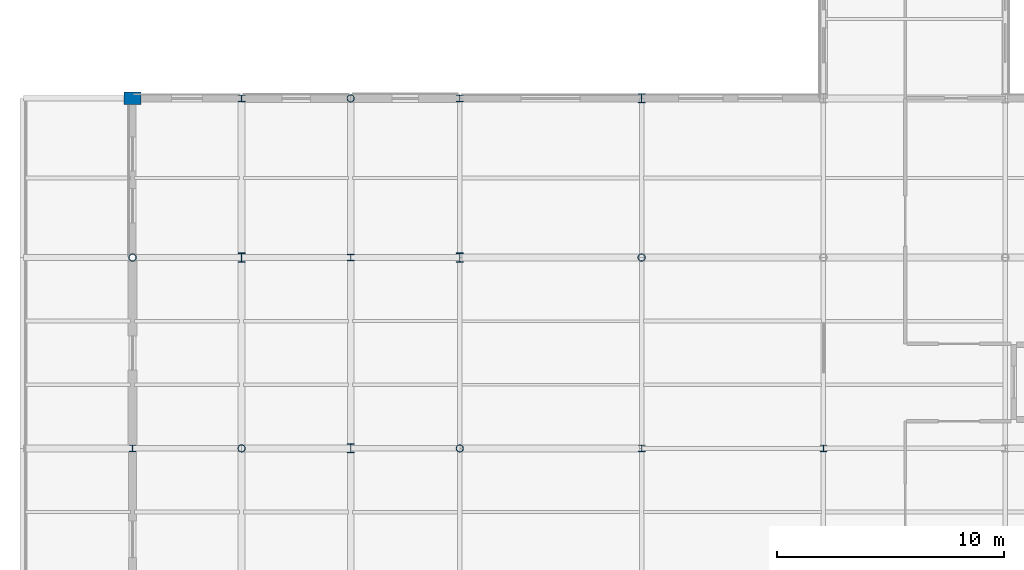
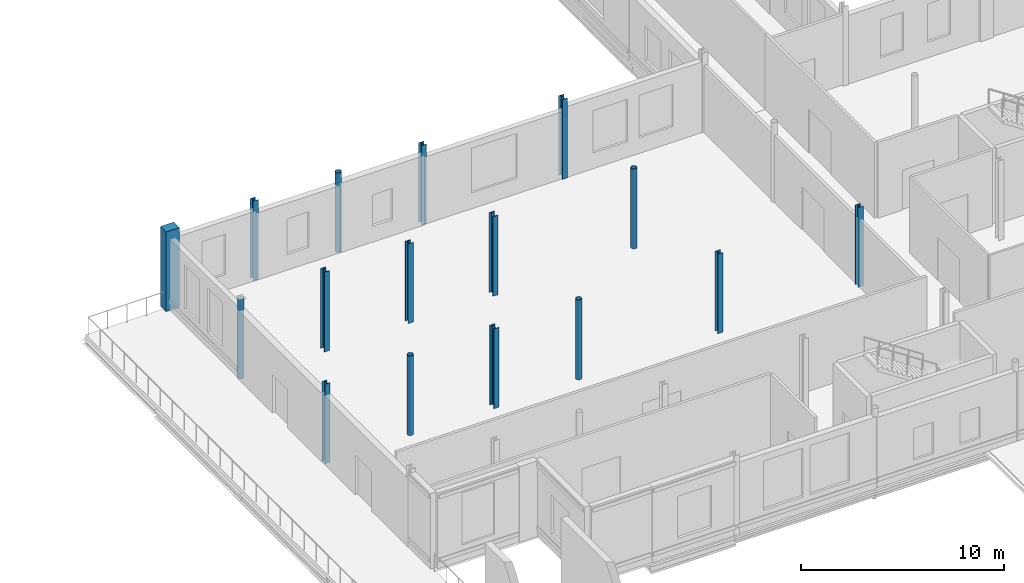
# One storey, part 5 of 120: 16 columns.
"""IFC4 building model written with IfcOpenShell, lengths in metres."""

from ifc_helpers import new_model, si_unit, direction, frame, origin, origin_2d, place, context, subcontext, project, spatial, rectangle, hollow_circle, i_section, extrude, material, material_profile, profile_set, type_object, element, save


model = new_model("IFC4")

# Units and contexts
model_context = context("Model", 3, precision=1e-05, world=origin(), true_north=direction((0.0, 1.0)))
body_context = subcontext(model_context, "Body", "Model", "MODEL_VIEW")
ifc_project = project(units=[si_unit("LENGTHUNIT", "METRE"), si_unit("AREAUNIT", "SQUARE_METRE"), si_unit("VOLUMEUNIT", "CUBIC_METRE"), si_unit("PLANEANGLEUNIT", "RADIAN"), si_unit("MASSUNIT", "GRAM", prefix="KILO")], contexts=[model_context])

# Site, building, storey
site_placement = place(None, origin())
site = spatial("IfcSite", under=ifc_project, at=site_placement, CompositionType="ELEMENT")
building_placement = place(site_placement, origin())
building = spatial("IfcBuilding", under=site, at=building_placement, Name="Vekula Escarpment Museum", CompositionType="ELEMENT")
storey_placement = place(building_placement, frame((0.0, 0.0, 13.199951171875)))
storey = spatial("IfcBuildingStorey", under=building, at=storey_placement, Name="L03", CompositionType="ELEMENT", Elevation=13.199951171875)

# Columns
ifc_material_1 = material(Name="Steel S355", Category="steel")
ifc_material_profile_1 = material_profile(ifc_material_1, hollow_circle(Radius=0.161865234375, WallThickness=0.01611328125, at=origin_2d()), Name="CHS 323.9x16")
ifc_profile_set_1 = profile_set([ifc_material_profile_1], Name="Steel S355")
column_type_1 = type_object("IfcColumnType", Name="COL-S-CHS323", PredefinedType="COLUMN", material=ifc_profile_set_1)
for number, where, z_axis, x_axis, name in (
    (1, (9.60009765625, 76.39990234375, 0.0), (0.0, 0.0, 1.0), (1.0, 0.0, 0.0), "Column L03 (9.6,76.4)"),
    (2, (14.39990234375, 68.0, 0.0), (0.0, 0.0, 1.0), (1.0, 0.0, 0.0), "Column L03 (14.4,68.0)"),
    (3, (19.199951171875, 83.39990234375, 0.0), (0.0, 0.0, 1.0), (1.0, 0.0, 0.0), "Column L03 (19.2,83.4)"),
    (4, (24.0, 68.0, 0.0), (0.0, 0.0, 1.0), (1.0, 0.0, 0.0), "Column L03 (24.0,68.0)"),
    (5, (32.0, 76.39990234375, 0.0), (0.0, 0.0, 1.0), (1.0, 0.0, 0.0), "Column L03 (32.0,76.4)"),
):
    element("IfcColumn", number, at=place(storey_placement, frame(where, z_axis=z_axis, x_axis=x_axis)), inside=storey, type_object=column_type_1, Name=name, PredefinedType="COLUMN", context=body_context, shape_type="SweptSolid", body=[
        extrude(hollow_circle(Radius=0.161865234375, WallThickness=0.01611328125, at=origin_2d()), origin(), (0.0, 0.0, 1.0), 4.800048828125),
    ])
ifc_material_2 = material(Name="Steel S355", Category="steel")
ifc_material_profile_2 = material_profile(ifc_material_2, i_section(OverallWidth=0.300048828125, OverallDepth=0.2900390625, WebThickness=0.008544921875, FlangeThickness=0.013916015625, FilletRadius=0.027099609375, at=origin_2d()), Name="HEA 300")
ifc_profile_set_2 = profile_set([ifc_material_profile_2], Name="Steel S355")
column_type_2 = type_object("IfcColumnType", Name="COL-S-HEA300", PredefinedType="COLUMN", material=ifc_profile_set_2)
for number, where, z_axis, x_axis, name in (
    (6, (9.60009765625, 68.0, 0.0), (0.0, 0.0, 1.0), (1.0, 0.0, 0.0), "Column L03 (9.6,68.0)"),
    (7, (14.39990234375, 83.39990234375, 0.0), (0.0, 0.0, 1.0), (1.0, 0.0, 0.0), "Column L03 (14.4,83.4)"),
    (8, (19.199951171875, 76.39990234375, 0.0), (0.0, 0.0, 1.0), (1.0, 0.0, 0.0), "Column L03 (19.2,76.4)"),
    (9, (24.0, 83.39990234375, 0.0), (0.0, 0.0, 1.0), (1.0, 0.0, 0.0), "Column L03 (24.0,83.4)"),
    (10, (32.0, 68.0, 0.0), (0.0, 0.0, 1.0), (1.0, 0.0, 0.0), "Column L03 (32.0,68.0)"),
    (11, (40.0, 68.0, 0.0), (0.0, 0.0, 1.0), (1.0, 0.0, 0.0), "Column L03 (40.0,68.0)"),
):
    element("IfcColumn", number, at=place(storey_placement, frame(where, z_axis=z_axis, x_axis=x_axis)), inside=storey, type_object=column_type_2, Name=name, PredefinedType="COLUMN", context=body_context, shape_type="SweptSolid", body=[
        extrude(i_section(OverallWidth=0.300048828125, OverallDepth=0.2900390625, WebThickness=0.008544921875, FlangeThickness=0.013916015625, FilletRadius=0.027099609375, at=origin_2d()), origin(), (0.0, 0.0, 1.0), 4.800048828125),
    ])
ifc_material_3 = material(Name="Steel S355", Category="steel")
ifc_material_profile_3 = material_profile(ifc_material_3, i_section(OverallWidth=0.300048828125, OverallDepth=0.39990234375, WebThickness=0.013427734375, FlangeThickness=0.02392578125, FilletRadius=0.027099609375, at=origin_2d()), Name="HEB 400")
ifc_profile_set_3 = profile_set([ifc_material_profile_3], Name="Steel S355")
column_type_3 = type_object("IfcColumnType", Name="COL-S-HEB400", PredefinedType="COLUMN", material=ifc_profile_set_3)
for number, where, z_axis, x_axis, name in (
    (12, (14.39990234375, 76.39990234375, 0.0), (0.0, 0.0, 1.0), (1.0, 0.0, 0.0), "Column L03 (14.4,76.4)"),
    (13, (19.199951171875, 68.0, 0.0), (0.0, 0.0, 1.0), (1.0, 0.0, 0.0), "Column L03 (19.2,68.0)"),
    (14, (24.0, 76.39990234375, 0.0), (0.0, 0.0, 1.0), (1.0, 0.0, 0.0), "Column L03 (24.0,76.4)"),
    (15, (32.0, 83.39990234375, 0.0), (0.0, 0.0, 1.0), (1.0, 0.0, 0.0), "Column L03 (32.0,83.4)"),
):
    element("IfcColumn", number, at=place(storey_placement, frame(where, z_axis=z_axis, x_axis=x_axis)), inside=storey, type_object=column_type_3, Name=name, PredefinedType="COLUMN", context=body_context, shape_type="SweptSolid", body=[
        extrude(i_section(OverallWidth=0.300048828125, OverallDepth=0.39990234375, WebThickness=0.013427734375, FlangeThickness=0.02392578125, FilletRadius=0.027099609375, at=origin_2d()), origin(), (0.0, 0.0, 1.0), 4.800048828125),
    ])
ifc_material_4 = material(Name="Inkisi arkosic sandstone masonry", Category="masonry")
ifc_material_profile_4 = material_profile(ifc_material_4, rectangle(XDim=0.75, YDim=0.550048828125, at=origin_2d()), Name="PIER 750x550")
ifc_profile_set_4 = profile_set([ifc_material_profile_4], Name="Inkisi arkosic sandstone masonry")
column_type_4 = type_object("IfcColumnType", Name="PIL-ALM-750", PredefinedType="PILASTER", material=ifc_profile_set_4)
column_placement = place(storey_placement, frame((9.60009765625, 83.39990234375, 0.0), z_axis=(0.0, 0.0, 1.0), x_axis=(1.0, 0.0, 0.0)))
element("IfcColumn", 16, at=column_placement, inside=storey, type_object=column_type_4, Name="Column L03 (9.6,83.4)", PredefinedType="PILASTER", context=body_context, shape_type="SweptSolid", body=[
    extrude(rectangle(XDim=0.75, YDim=0.550048828125, at=origin_2d()), origin(), (0.0, 0.0, 1.0), 4.800048828125),
])

save(model, "model.ifc")
